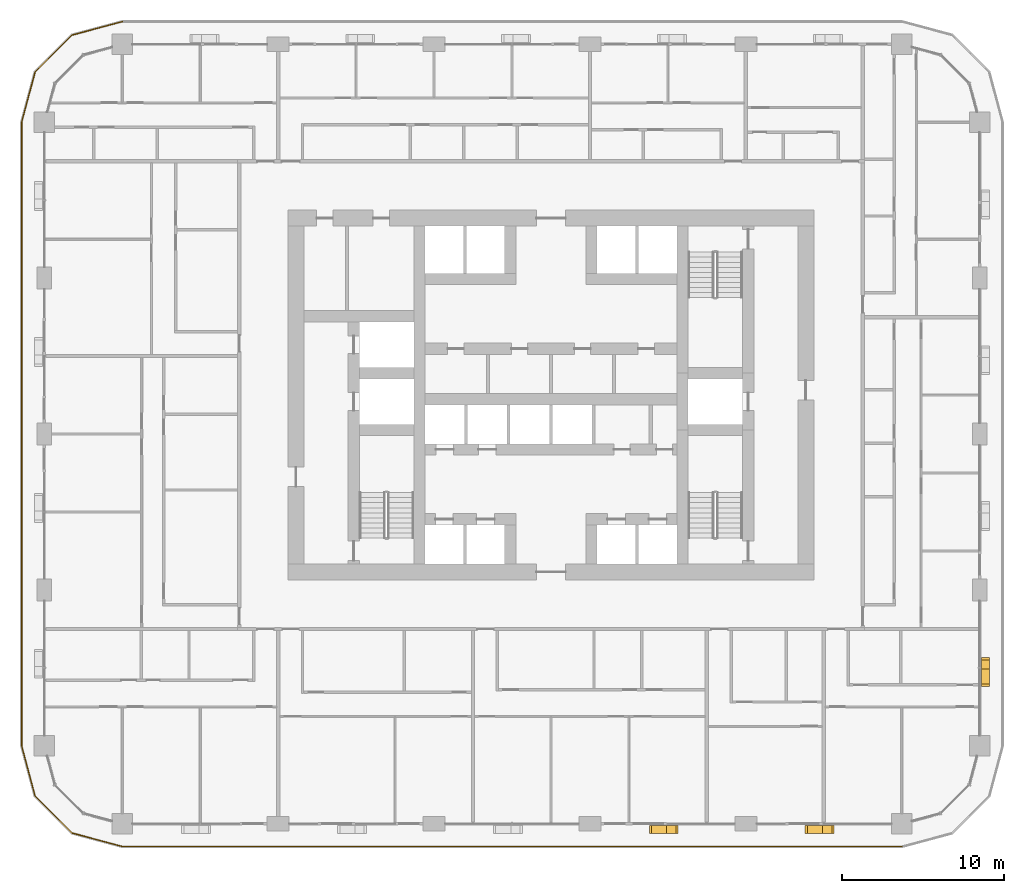
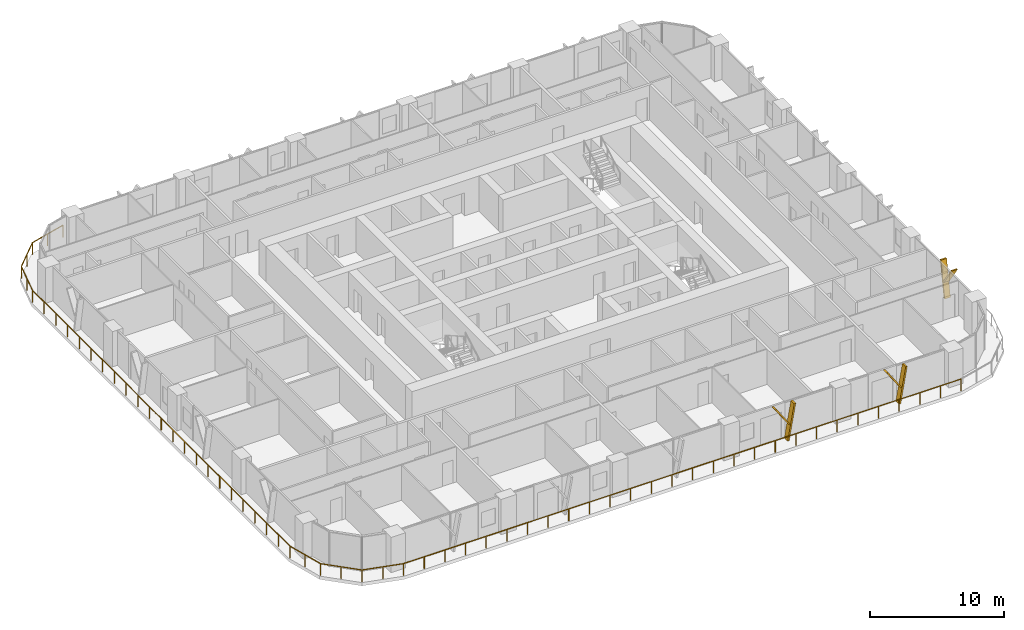
# One storey, part 18 of 21: 6 shading devices, 1 railing.
"""IFC4 building model written with IfcOpenShell, lengths in metres."""

from ifc_helpers import new_model, si_unit, direction, frame, origin, origin_2d, place, context, subcontext, project, spatial, polyline, circle, outline, extrude, material, type_object, element, save


model = new_model("IFC4")

# Units and contexts
model_context = context("Model", 3, precision=1e-05, world=origin(), true_north=direction((0.0, 1.0)))
body_context = subcontext(model_context, "Body", "Model", "MODEL_VIEW")
ifc_project = project(units=[si_unit("LENGTHUNIT", "METRE"), si_unit("AREAUNIT", "SQUARE_METRE"), si_unit("VOLUMEUNIT", "CUBIC_METRE"), si_unit("PLANEANGLEUNIT", "RADIAN"), si_unit("MASSUNIT", "GRAM", prefix="KILO")], contexts=[model_context])

# Site, building, storey
site_placement = place(None, origin())
site = spatial("IfcSite", under=ifc_project, at=site_placement, CompositionType="ELEMENT")
building_placement = place(site_placement, origin())
building = spatial("IfcBuilding", under=site, at=building_placement, Name="Madar Terraces", CompositionType="ELEMENT")
storey_placement = place(building_placement, frame((0.0, 0.0, 36.39990234375)))
storey = spatial("IfcBuildingStorey", under=building, at=storey_placement, Name="L08", CompositionType="ELEMENT", Elevation=36.39990234375)

# Railing
ifc_material_1 = material(Name="Glass, safety glazing, with stainless steel posts", Category="steel")
railing_type = type_object("IfcRailingType", Name="Balcony glass guard 1100", PredefinedType="GUARDRAIL", material=ifc_material_1)
railing_placement = place(storey_placement, frame((4.800048828125, 49.39990234375, 0.0)))
element("IfcRailing", 1, at=railing_placement, inside=storey, type_object=railing_type, Name="Balcony guard", PredefinedType="GUARDRAIL", context=body_context, shape_type="SweptSolid", body=[
    extrude(circle(Radius=0.02392578125, at=origin_2d()), frame((0.0, 0.0, 1.076171875), z_axis=(-0.9659337912, -0.258789317819, 0.0), x_axis=(0.258789317819, -0.9659337912, 0.0)), (0.0, 0.0, 1.0), 3.20947265625),
    extrude(circle(Radius=0.02392578125, at=origin_2d()), frame((-3.10009765625, -0.83056640625, 1.076171875), z_axis=(-0.707106781187, -0.707106781187, 0.0), x_axis=(0.707106781187, -0.707106781187, 0.0)), (0.0, 0.0, 1.0), 3.209228515625),
    extrude(circle(Radius=0.02392578125, at=origin_2d()), frame((-5.369384765625, -3.099853515625, 1.076171875), z_axis=(-0.258789317819, -0.9659337912, 0.0), x_axis=(0.9659337912, -0.258789317819, 0.0)), (0.0, 0.0, 1.0), 3.20947265625),
    extrude(circle(Radius=0.02392578125, at=origin_2d()), frame((-6.199951171875, -6.199951171875, 1.076171875), z_axis=(0.0, -1.0, 0.0), x_axis=(1.0, 0.0, 0.0)), (0.0, 0.0, 1.0), 38.39990234375),
    extrude(circle(Radius=0.02392578125, at=origin_2d()), frame((-6.199951171875, -44.599853515625, 1.076171875), z_axis=(0.258789317819, -0.9659337912, 0.0), x_axis=(0.9659337912, 0.258789317819, 0.0)), (0.0, 0.0, 1.0), 3.20947265625),
    extrude(circle(Radius=0.02392578125, at=origin_2d()), frame((-5.369384765625, -47.699951171875, 1.076171875), z_axis=(0.707106781187, -0.707106781187, 0.0), x_axis=(0.707106781187, 0.707106781187, 0.0)), (0.0, 0.0, 1.0), 3.209228515625),
    extrude(circle(Radius=0.02392578125, at=origin_2d()), frame((-3.10009765625, -49.96923828125, 1.076171875), z_axis=(0.9659337912, -0.258789317819, 0.0), x_axis=(0.258789317819, 0.9659337912, 0.0)), (0.0, 0.0, 1.0), 3.20947265625),
    extrude(circle(Radius=0.02392578125, at=origin_2d()), frame((0.0, -50.7998046875, 1.076171875), z_axis=(1.0, 0.0, 0.0), x_axis=(0.0, 1.0, 0.0)), (0.0, 0.0, 1.0), 48.0),
    extrude(circle(Radius=0.02099609375, at=origin_2d()), origin(), (0.0, 0.0, 1.0), 1.052001953125),
    extrude(circle(Radius=0.02099609375, at=origin_2d()), frame((-1.550048828125, -0.415283203125, 0.0)), (0.0, 0.0, 1.0), 1.052001953125),
    extrude(circle(Radius=0.02099609375, at=origin_2d()), frame((-3.10009765625, -0.83056640625, 0.0)), (0.0, 0.0, 1.0), 1.052001953125),
    extrude(circle(Radius=0.02099609375, at=origin_2d()), frame((-4.23486328125, -1.96533203125, 0.0)), (0.0, 0.0, 1.0), 1.052001953125),
    extrude(circle(Radius=0.02099609375, at=origin_2d()), frame((-5.369384765625, -3.099853515625, 0.0)), (0.0, 0.0, 1.0), 1.052001953125),
    extrude(circle(Radius=0.02099609375, at=origin_2d()), frame((-5.78466796875, -4.64990234375, 0.0)), (0.0, 0.0, 1.0), 1.052001953125),
    extrude(circle(Radius=0.02099609375, at=origin_2d()), frame((-6.199951171875, -6.199951171875, 0.0)), (0.0, 0.0, 1.0), 1.052001953125),
    extrude(circle(Radius=0.02099609375, at=origin_2d()), frame((-6.199951171875, -7.9453125, 0.0)), (0.0, 0.0, 1.0), 1.052001953125),
    extrude(circle(Radius=0.02099609375, at=origin_2d()), frame((-6.199951171875, -9.69091796875, 0.0)), (0.0, 0.0, 1.0), 1.052001953125),
    extrude(circle(Radius=0.02099609375, at=origin_2d()), frame((-6.199951171875, -11.436279296875, 0.0)), (0.0, 0.0, 1.0), 1.052001953125),
    extrude(circle(Radius=0.02099609375, at=origin_2d()), frame((-6.199951171875, -13.181640625, 0.0)), (0.0, 0.0, 1.0), 1.052001953125),
    extrude(circle(Radius=0.02099609375, at=origin_2d()), frame((-6.199951171875, -14.92724609375, 0.0)), (0.0, 0.0, 1.0), 1.052001953125),
    extrude(circle(Radius=0.02099609375, at=origin_2d()), frame((-6.199951171875, -16.672607421875, 0.0)), (0.0, 0.0, 1.0), 1.052001953125),
    extrude(circle(Radius=0.02099609375, at=origin_2d()), frame((-6.199951171875, -18.418212890625, 0.0)), (0.0, 0.0, 1.0), 1.052001953125),
    extrude(circle(Radius=0.02099609375, at=origin_2d()), frame((-6.199951171875, -20.16357421875, 0.0)), (0.0, 0.0, 1.0), 1.052001953125),
    extrude(circle(Radius=0.02099609375, at=origin_2d()), frame((-6.199951171875, -21.908935546875, 0.0)), (0.0, 0.0, 1.0), 1.052001953125),
    extrude(circle(Radius=0.02099609375, at=origin_2d()), frame((-6.199951171875, -23.654541015625, 0.0)), (0.0, 0.0, 1.0), 1.052001953125),
    extrude(circle(Radius=0.02099609375, at=origin_2d()), frame((-6.199951171875, -25.39990234375, 0.0)), (0.0, 0.0, 1.0), 1.052001953125),
    extrude(circle(Radius=0.02099609375, at=origin_2d()), frame((-6.199951171875, -27.145263671875, 0.0)), (0.0, 0.0, 1.0), 1.052001953125),
    extrude(circle(Radius=0.02099609375, at=origin_2d()), frame((-6.199951171875, -28.890869140625, 0.0)), (0.0, 0.0, 1.0), 1.052001953125),
    extrude(circle(Radius=0.02099609375, at=origin_2d()), frame((-6.199951171875, -30.63623046875, 0.0)), (0.0, 0.0, 1.0), 1.052001953125),
    extrude(circle(Radius=0.02099609375, at=origin_2d()), frame((-6.199951171875, -32.381591796875, 0.0)), (0.0, 0.0, 1.0), 1.052001953125),
    extrude(circle(Radius=0.02099609375, at=origin_2d()), frame((-6.199951171875, -34.127197265625, 0.0)), (0.0, 0.0, 1.0), 1.052001953125),
    extrude(circle(Radius=0.02099609375, at=origin_2d()), frame((-6.199951171875, -35.87255859375, 0.0)), (0.0, 0.0, 1.0), 1.052001953125),
    extrude(circle(Radius=0.02099609375, at=origin_2d()), frame((-6.199951171875, -37.6181640625, 0.0)), (0.0, 0.0, 1.0), 1.052001953125),
    extrude(circle(Radius=0.02099609375, at=origin_2d()), frame((-6.199951171875, -39.363525390625, 0.0)), (0.0, 0.0, 1.0), 1.052001953125),
    extrude(circle(Radius=0.02099609375, at=origin_2d()), frame((-6.199951171875, -41.10888671875, 0.0)), (0.0, 0.0, 1.0), 1.052001953125),
    extrude(circle(Radius=0.02099609375, at=origin_2d()), frame((-6.199951171875, -42.8544921875, 0.0)), (0.0, 0.0, 1.0), 1.052001953125),
    extrude(circle(Radius=0.02099609375, at=origin_2d()), frame((-6.199951171875, -44.599853515625, 0.0)), (0.0, 0.0, 1.0), 1.052001953125),
    extrude(circle(Radius=0.02099609375, at=origin_2d()), frame((-5.78466796875, -46.14990234375, 0.0)), (0.0, 0.0, 1.0), 1.052001953125),
    extrude(circle(Radius=0.02099609375, at=origin_2d()), frame((-5.369384765625, -47.699951171875, 0.0)), (0.0, 0.0, 1.0), 1.052001953125),
    extrude(circle(Radius=0.02099609375, at=origin_2d()), frame((-4.23486328125, -48.83447265625, 0.0)), (0.0, 0.0, 1.0), 1.052001953125),
    extrude(circle(Radius=0.02099609375, at=origin_2d()), frame((-3.10009765625, -49.96923828125, 0.0)), (0.0, 0.0, 1.0), 1.052001953125),
    extrude(circle(Radius=0.02099609375, at=origin_2d()), frame((-1.550048828125, -50.384521484375, 0.0)), (0.0, 0.0, 1.0), 1.052001953125),
    extrude(circle(Radius=0.02099609375, at=origin_2d()), frame((0.0, -50.7998046875, 0.0)), (0.0, 0.0, 1.0), 1.052001953125),
    extrude(circle(Radius=0.02099609375, at=origin_2d()), frame((1.77783203125, -50.7998046875, 0.0)), (0.0, 0.0, 1.0), 1.052001953125),
    extrude(circle(Radius=0.02099609375, at=origin_2d()), frame((3.5556640625, -50.7998046875, 0.0)), (0.0, 0.0, 1.0), 1.052001953125),
    extrude(circle(Radius=0.02099609375, at=origin_2d()), frame((5.333251953125, -50.7998046875, 0.0)), (0.0, 0.0, 1.0), 1.052001953125),
    extrude(circle(Radius=0.02099609375, at=origin_2d()), frame((7.111083984375, -50.7998046875, 0.0)), (0.0, 0.0, 1.0), 1.052001953125),
    extrude(circle(Radius=0.02099609375, at=origin_2d()), frame((8.888916015625, -50.7998046875, 0.0)), (0.0, 0.0, 1.0), 1.052001953125),
    extrude(circle(Radius=0.02099609375, at=origin_2d()), frame((10.666748046875, -50.7998046875, 0.0)), (0.0, 0.0, 1.0), 1.052001953125),
    extrude(circle(Radius=0.02099609375, at=origin_2d()), frame((12.4443359375, -50.7998046875, 0.0)), (0.0, 0.0, 1.0), 1.052001953125),
    extrude(circle(Radius=0.02099609375, at=origin_2d()), frame((14.22216796875, -50.7998046875, 0.0)), (0.0, 0.0, 1.0), 1.052001953125),
    extrude(circle(Radius=0.02099609375, at=origin_2d()), frame((16.0, -50.7998046875, 0.0)), (0.0, 0.0, 1.0), 1.052001953125),
    extrude(circle(Radius=0.02099609375, at=origin_2d()), frame((17.77783203125, -50.7998046875, 0.0)), (0.0, 0.0, 1.0), 1.052001953125),
    extrude(circle(Radius=0.02099609375, at=origin_2d()), frame((19.5556640625, -50.7998046875, 0.0)), (0.0, 0.0, 1.0), 1.052001953125),
    extrude(circle(Radius=0.02099609375, at=origin_2d()), frame((21.333251953125, -50.7998046875, 0.0)), (0.0, 0.0, 1.0), 1.052001953125),
    extrude(circle(Radius=0.02099609375, at=origin_2d()), frame((23.111083984375, -50.7998046875, 0.0)), (0.0, 0.0, 1.0), 1.052001953125),
    extrude(circle(Radius=0.02099609375, at=origin_2d()), frame((24.888916015625, -50.7998046875, 0.0)), (0.0, 0.0, 1.0), 1.052001953125),
    extrude(circle(Radius=0.02099609375, at=origin_2d()), frame((26.666748046875, -50.7998046875, 0.0)), (0.0, 0.0, 1.0), 1.052001953125),
    extrude(circle(Radius=0.02099609375, at=origin_2d()), frame((28.4443359375, -50.7998046875, 0.0)), (0.0, 0.0, 1.0), 1.052001953125),
    extrude(circle(Radius=0.02099609375, at=origin_2d()), frame((30.22216796875, -50.7998046875, 0.0)), (0.0, 0.0, 1.0), 1.052001953125),
    extrude(circle(Radius=0.02099609375, at=origin_2d()), frame((32.0, -50.7998046875, 0.0)), (0.0, 0.0, 1.0), 1.052001953125),
    extrude(circle(Radius=0.02099609375, at=origin_2d()), frame((33.77783203125, -50.7998046875, 0.0)), (0.0, 0.0, 1.0), 1.052001953125),
    extrude(circle(Radius=0.02099609375, at=origin_2d()), frame((35.5556640625, -50.7998046875, 0.0)), (0.0, 0.0, 1.0), 1.052001953125),
    extrude(circle(Radius=0.02099609375, at=origin_2d()), frame((37.333251953125, -50.7998046875, 0.0)), (0.0, 0.0, 1.0), 1.052001953125),
    extrude(circle(Radius=0.02099609375, at=origin_2d()), frame((39.111083984375, -50.7998046875, 0.0)), (0.0, 0.0, 1.0), 1.052001953125),
    extrude(circle(Radius=0.02099609375, at=origin_2d()), frame((40.888916015625, -50.7998046875, 0.0)), (0.0, 0.0, 1.0), 1.052001953125),
    extrude(circle(Radius=0.02099609375, at=origin_2d()), frame((42.666748046875, -50.7998046875, 0.0)), (0.0, 0.0, 1.0), 1.052001953125),
    extrude(circle(Radius=0.02099609375, at=origin_2d()), frame((44.4443359375, -50.7998046875, 0.0)), (0.0, 0.0, 1.0), 1.052001953125),
    extrude(circle(Radius=0.02099609375, at=origin_2d()), frame((46.22216796875, -50.7998046875, 0.0)), (0.0, 0.0, 1.0), 1.052001953125),
    extrude(circle(Radius=0.02099609375, at=origin_2d()), frame((48.0, -50.7998046875, 0.0)), (0.0, 0.0, 1.0), 1.052001953125),
])

# Shading devices
ifc_material_2 = material(Name="Aluminium, black anodised", Category="aluminium")
shading_device_type = type_object("IfcShadingDeviceType", Name="Facade fin blade 140 x 500", PredefinedType="USERDEFINED", material=ifc_material_2)
shading_device_1_placement = place(storey_placement, frame((38.330078125, -0.35009765625, 0.0), z_axis=(0.0, 0.0, 1.0), x_axis=(1.0, 0.0, 0.0)))
element("IfcShadingDevice", 2, at=shading_device_1_placement, inside=storey, type_object=shading_device_type, Name="FIN L08 S4", ObjectType="FIN", PredefinedType="USERDEFINED", context=body_context, shape_type="SweptSolid", body=[
    extrude(outline(polyline([(0.0, 0.0), (0.139892578125, 0.0), (0.704345703125, 3.2001953125), (0.564208984375, 3.2001953125), (0.0, 0.0)])), frame((0.0, 0.25, 0.0), z_axis=(0.0, -1.0, 0.0), x_axis=(1.0, 0.0, 0.0)), (0.0, 0.0, 1.0), 0.5),
])
shading_device_2_placement = place(storey_placement, frame((38.44384765625, -0.35009765625, 1.440185546875), z_axis=(0.0, 0.0, 1.0), x_axis=(1.0, 0.0, 0.0)))
element("IfcShadingDevice", 3, at=shading_device_2_placement, inside=storey, type_object=shading_device_type, Name="FIN L08 S4 branch", ObjectType="FIN", PredefinedType="USERDEFINED", context=body_context, shape_type="SweptSolid", body=[
    extrude(outline(polyline([(0.0, 0.0), (0.14013671875, 0.0), (-1.049560546875, 1.760009765625), (-1.189697265625, 1.760009765625), (0.0, 0.0)])), frame((0.0, 0.25, 0.0), z_axis=(0.0, -1.0, 0.0), x_axis=(1.0, 0.0, 0.0)), (0.0, 0.0, 1.0), 0.5),
])
shading_device_3_placement = place(storey_placement, frame((47.929931640625, -0.35009765625, 0.0), z_axis=(0.0, 0.0, 1.0), x_axis=(1.0, 0.0, 0.0)))
element("IfcShadingDevice", 4, at=shading_device_3_placement, inside=storey, type_object=shading_device_type, Name="FIN L08 S5", ObjectType="FIN", PredefinedType="USERDEFINED", context=body_context, shape_type="SweptSolid", body=[
    extrude(outline(polyline([(0.0, 0.0), (0.14013671875, 0.0), (0.704345703125, 3.2001953125), (0.564208984375, 3.2001953125), (0.0, 0.0)])), frame((0.0, 0.25, 0.0), z_axis=(0.0, -1.0, 0.0), x_axis=(1.0, 0.0, 0.0)), (0.0, 0.0, 1.0), 0.5),
])
shading_device_4_placement = place(storey_placement, frame((48.0439453125, -0.35009765625, 1.440185546875), z_axis=(0.0, 0.0, 1.0), x_axis=(1.0, 0.0, 0.0)))
element("IfcShadingDevice", 5, at=shading_device_4_placement, inside=storey, type_object=shading_device_type, Name="FIN L08 S5 branch", ObjectType="FIN", PredefinedType="USERDEFINED", context=body_context, shape_type="SweptSolid", body=[
    extrude(outline(polyline([(0.0, 0.0), (0.139892578125, 0.0), (-1.049560546875, 1.760009765625), (-1.189697265625, 1.760009765625), (0.0, 0.0)])), frame((0.0, 0.25, 0.0), z_axis=(0.0, -1.0, 0.0), x_axis=(1.0, 0.0, 0.0)), (0.0, 0.0, 1.0), 0.5),
])
shading_device_5_placement = place(storey_placement, frame((57.949951171875, 9.530029296875, 0.0), z_axis=(0.0, 0.0, 1.0), x_axis=(0.0, 1.0, 0.0)))
element("IfcShadingDevice", 6, at=shading_device_5_placement, inside=storey, type_object=shading_device_type, Name="FIN L08 E1", ObjectType="FIN", PredefinedType="USERDEFINED", context=body_context, shape_type="SweptSolid", body=[
    extrude(outline(polyline([(0.0, 0.0), (0.139892578125, 0.0), (0.704345703125, 3.2001953125), (0.564208984375, 3.2001953125), (0.0, 0.0)])), frame((0.0, 0.25, 0.0), z_axis=(0.0, -1.0, 0.0), x_axis=(1.0, 0.0, 0.0)), (0.0, 0.0, 1.0), 0.5),
])
shading_device_6_placement = place(storey_placement, frame((57.949951171875, 9.643798828125, 1.440185546875), z_axis=(0.0, 0.0, 1.0), x_axis=(0.0, 1.0, 0.0)))
element("IfcShadingDevice", 7, at=shading_device_6_placement, inside=storey, type_object=shading_device_type, Name="FIN L08 E1 branch", ObjectType="FIN", PredefinedType="USERDEFINED", context=body_context, shape_type="SweptSolid", body=[
    extrude(outline(polyline([(0.0, 0.0), (0.14013671875, 0.0), (-1.049560546875, 1.760009765625), (-1.189697265625, 1.760009765625), (0.0, 0.0)])), frame((0.0, 0.25, 0.0), z_axis=(0.0, -1.0, 0.0), x_axis=(1.0, 0.0, 0.0)), (0.0, 0.0, 1.0), 0.5),
])

save(model, "model.ifc")
